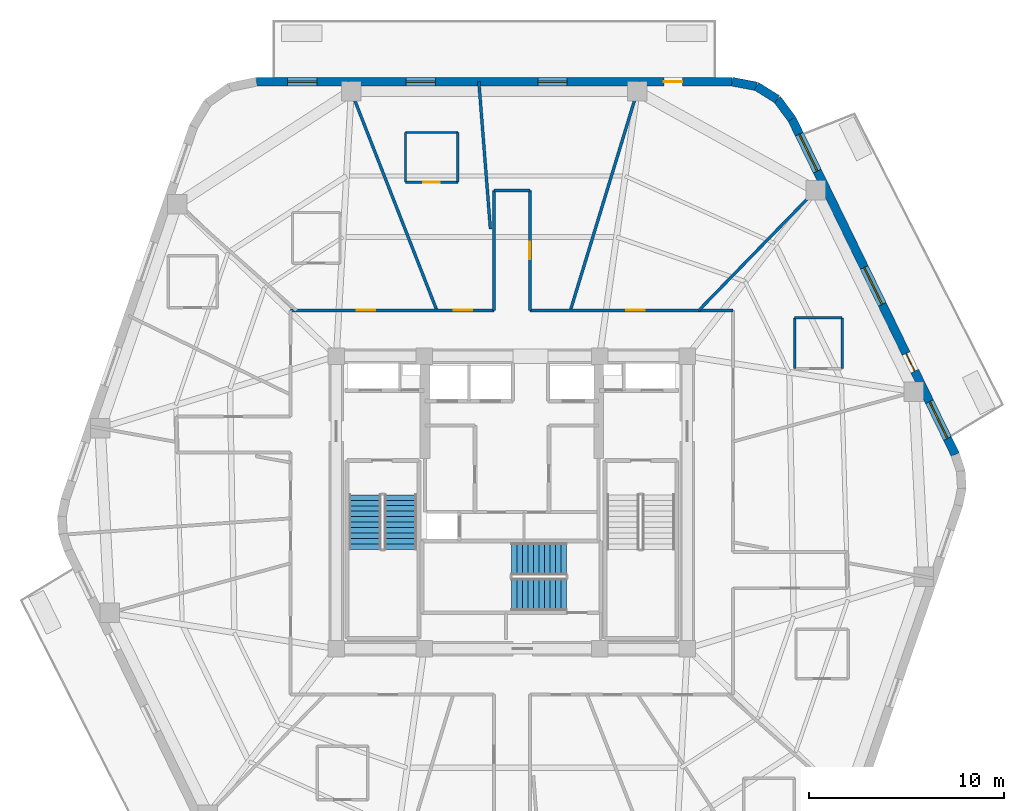
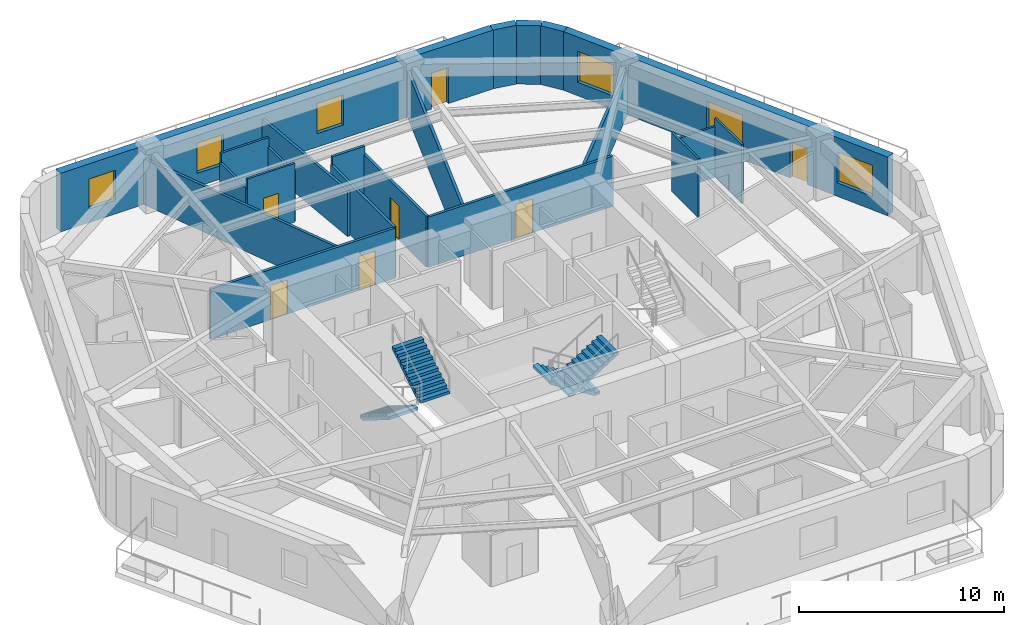
# One storey, part 6 of 10: 21 walls, 7 doors, 6 windows, 4 stair flights, 13 openings, 2 elements without a shape of their own.
"""IFC4 building model written with IfcOpenShell, lengths in metres."""

from ifc_helpers import new_model, si_unit, direction, frame, frame_2d, origin, place, context, subcontext, project, spatial, polyline, rectangle, outline, extrude, material, layer, layer_set, type_object, element, fill, aggregate, save


model = new_model("IFC4")

# Units and contexts
model_context = context("Model", 3, precision=1e-05, world=origin(), true_north=direction((0.0, 1.0)))
body_context = subcontext(model_context, "Body", "Model", "MODEL_VIEW")
ifc_project = project(units=[si_unit("LENGTHUNIT", "METRE"), si_unit("AREAUNIT", "SQUARE_METRE"), si_unit("VOLUMEUNIT", "CUBIC_METRE"), si_unit("PLANEANGLEUNIT", "RADIAN"), si_unit("MASSUNIT", "GRAM", prefix="KILO")], contexts=[model_context])

# Site, building, storey
site_placement = place(None, origin())
site = spatial("IfcSite", under=ifc_project, at=site_placement, CompositionType="ELEMENT")
building_placement = place(site_placement, origin())
building = spatial("IfcBuilding", under=site, at=building_placement, Name="Kilnhurst Terrace Hotel", CompositionType="ELEMENT")
storey_placement = place(building_placement, frame((0.0, 0.0, 217.89990234375)))
storey = spatial("IfcBuildingStorey", under=building, at=storey_placement, Name="L54", CompositionType="ELEMENT", Elevation=217.89990234375)

# Walls
ifc_material_1 = material(Name="Precast concrete C40/50", Category="concrete")
ifc_layer_1 = layer(ifc_material_1, 0.449951171875, Name="Precast concrete C40/50")
ifc_layer_set_1 = layer_set([ifc_layer_1], Name="Precast concrete C40/50")
wall_type_1 = type_object("IfcWallType", Name="WL-BRK-450", PredefinedType="SOLIDWALL", material=ifc_layer_set_1)
wall_1_placement = place(storey_placement, frame((14.3623046875, 19.658447265625, 0.0), z_axis=(0.0, 0.0, 1.0), x_axis=(-0.596642462792, 0.80250717853, 0.0)))
element("IfcWall", 1, at=wall_1_placement, inside=storey, type_object=wall_type_1, Name="L54 Rounded Corner Brick Wall C4.1", PredefinedType="SOLIDWALL", context=body_context, shape_type="SweptSolid", body=[
    extrude(rectangle(XDim=1.27001953125, YDim=0.449951171875, at=frame_2d((0.635009765625, 0.0))), origin(), (0.0, 0.0, 1.0), 3.5),
])
wall_2_placement = place(storey_placement, frame((13.6044921875, 20.677734375, 0.0), z_axis=(0.0, 0.0, 1.0), x_axis=(-0.847910404124, 0.53013955387, 0.0)))
element("IfcWall", 2, at=wall_2_placement, inside=storey, type_object=wall_type_1, Name="L54 Rounded Corner Brick Wall C4.2", PredefinedType="SOLIDWALL", context=body_context, shape_type="SweptSolid", body=[
    extrude(rectangle(XDim=1.24853515625, YDim=0.449951171875, at=frame_2d((0.624267578125, 0.0))), origin(), (0.0, 0.0, 1.0), 3.5),
])
wall_3_placement = place(storey_placement, frame((12.5458984375, 21.339599609375, 0.0), z_axis=(0.0, 0.0, 1.0), x_axis=(-0.982686750835, 0.18527479519, 0.0)))
element("IfcWall", 3, at=wall_3_placement, inside=storey, type_object=wall_type_1, Name="L54 Rounded Corner Brick Wall C4.3", PredefinedType="SOLIDWALL", context=body_context, shape_type="SweptSolid", body=[
    extrude(rectangle(XDim=1.270263671875, YDim=0.449951171875, at=frame_2d((0.63525390625, 0.0))), origin(), (0.0, 0.0, 1.0), 3.5),
])

# Wall, openings, door, windows
wall_4_placement = place(storey_placement, frame((22.73974609375, 2.4521484375, 0.0), z_axis=(0.0, 0.0, 1.0), x_axis=(-0.437753424814, 0.899095066755, 0.0)))
wall_4 = element("IfcWall", 4, at=wall_4_placement, inside=storey, type_object=wall_type_1, Name="L54 Exterior Brick Facade Wall F3", PredefinedType="SOLIDWALL", context=body_context, shape_type="SweptSolid", body=[
    extrude(rectangle(XDim=19.137451171875, YDim=0.449951171875, at=frame_2d((9.56884765625, 0.0))), origin(), (0.0, 0.0, 1.0), 3.5),
])
opening_1_placement = place(wall_4_placement, frame((4.762939453125, 0.0, 0.0)))
opening_1 = element("IfcOpeningElement", 5, at=opening_1_placement, cuts=wall_4, Name="Opening BD-1000", PredefinedType="OPENING", context=body_context, shape_type="SweptSolid", body=[
    extrude(rectangle(XDim=1.0, YDim=2.14990234375, at=frame_2d((0.5, 1.074951171875))), frame((0.0, 0.23486328125, 0.0), z_axis=(0.0, -1.0, 0.0), x_axis=(1.0, 0.0, 0.0)), (0.0, 0.0, 1.0), 0.469970703125),
])
opening_2_placement = place(wall_4_placement, frame((8.570068359375, 0.0, 0.800048828125)))
opening_2 = element("IfcOpeningElement", 6, at=opening_2_placement, cuts=wall_4, Name="Opening W-04", PredefinedType="OPENING", context=body_context, shape_type="SweptSolid", body=[
    extrude(rectangle(XDim=2.10009765625, YDim=1.85009765625, at=frame_2d((1.050048828125, 0.925048828125))), frame((0.0, 0.23486328125, 0.0), z_axis=(0.0, -1.0, 0.0), x_axis=(1.0, 0.0, 0.0)), (0.0, 0.0, 1.0), 0.469970703125),
])
opening_3_placement = place(wall_4_placement, frame((16.173095703125, 0.0, 0.800048828125)))
opening_3 = element("IfcOpeningElement", 7, at=opening_3_placement, cuts=wall_4, Name="Opening W-04", PredefinedType="OPENING", context=body_context, shape_type="SweptSolid", body=[
    extrude(rectangle(XDim=2.10009765625, YDim=1.85009765625, at=frame_2d((1.050048828125, 0.925048828125))), frame((0.0, 0.23486328125, 0.0), z_axis=(0.0, -1.0, 0.0), x_axis=(1.0, 0.0, 0.0)), (0.0, 0.0, 1.0), 0.469970703125),
])
opening_4_placement = place(wall_4_placement, frame((0.916015625, 0.0, 0.800048828125)))
opening_4 = element("IfcOpeningElement", 8, at=opening_4_placement, cuts=wall_4, Name="Opening W-04", PredefinedType="OPENING", context=body_context, shape_type="SweptSolid", body=[
    extrude(rectangle(XDim=2.10009765625, YDim=1.85009765625, at=frame_2d((1.050048828125, 0.925048828125))), frame((0.0, 0.23486328125, 0.0), z_axis=(0.0, -1.0, 0.0), x_axis=(1.0, 0.0, 0.0)), (0.0, 0.0, 1.0), 0.469970703125),
])
ifc_material_2 = material(Name="Thermally Broken Bronze Aluminium Alloy 6063-T6 and Laminated Glass", Category="aluminium")
door_type_1 = type_object("IfcDoorType", Name="DR-EXT-BAL-1000", OperationType="NOTDEFINED", PredefinedType="DOOR", material=ifc_material_2)
door_1_placement = place(opening_1_placement, origin())
door_1 = element("IfcDoor", 9, at=door_1_placement, inside=storey, type_object=door_type_1, Name="L54 Planted Balcony Door BAL-L1A", OperationType="SINGLE_SWING_LEFT", OverallHeight=2.14990234375, OverallWidth=1.0, PredefinedType="DOOR", context=body_context, shape_type="SweptSolid", body=[
    extrude(rectangle(XDim=1.0, YDim=2.14990234375, at=frame_2d((0.5, 1.074951171875))), frame((0.0, 0.02490234375, 0.0), z_axis=(0.0, -1.0, 0.0), x_axis=(1.0, 0.0, 0.0)), (0.0, 0.0, 1.0), 0.050048828125),
])
fill(opening_1, door_1)
ifc_material_3 = material(Name="Thermally Broken Bronze Aluminium Alloy 6063-T6 and Low-E Glass", Category="aluminium")
window_type_1 = type_object("IfcWindowType", Name="WIN-2100X1850", PartitioningType="SINGLE_PANEL", PredefinedType="WINDOW", material=ifc_material_3)
window_1_placement = place(opening_2_placement, origin())
window_1 = element("IfcWindow", 10, at=window_1_placement, inside=storey, type_object=window_type_1, Name="L54 Deep-Set Masonry Window F3.1", OverallHeight=1.85009765625, OverallWidth=2.10009765625, PartitioningType="SINGLE_PANEL", PredefinedType="WINDOW", context=body_context, shape_type="SweptSolid", body=[
    extrude(rectangle(XDim=2.10009765625, YDim=1.85009765625, at=frame_2d((1.050048828125, 0.925048828125))), frame((0.0, 0.030029296875, 0.0), z_axis=(0.0, -1.0, 0.0), x_axis=(1.0, 0.0, 0.0)), (0.0, 0.0, 1.0), 0.06005859375),
])
fill(opening_2, window_1)
window_2_placement = place(opening_3_placement, origin())
window_2 = element("IfcWindow", 11, at=window_2_placement, inside=storey, type_object=window_type_1, Name="L54 Deep-Set Masonry Window F3.2", OverallHeight=1.85009765625, OverallWidth=2.10009765625, PartitioningType="SINGLE_PANEL", PredefinedType="WINDOW", context=body_context, shape_type="SweptSolid", body=[
    extrude(rectangle(XDim=2.10009765625, YDim=1.85009765625, at=frame_2d((1.050048828125, 0.925048828125))), frame((0.0, 0.030029296875, 0.0), z_axis=(0.0, -1.0, 0.0), x_axis=(1.0, 0.0, 0.0)), (0.0, 0.0, 1.0), 0.06005859375),
])
fill(opening_3, window_2)
window_3_placement = place(opening_4_placement, origin())
window_3 = element("IfcWindow", 12, at=window_3_placement, inside=storey, type_object=window_type_1, Name="L54 Deep-Set Masonry Window F3.3", OverallHeight=1.85009765625, OverallWidth=2.10009765625, PartitioningType="SINGLE_PANEL", PredefinedType="WINDOW", context=body_context, shape_type="SweptSolid", body=[
    extrude(rectangle(XDim=2.10009765625, YDim=1.85009765625, at=frame_2d((1.050048828125, 0.925048828125))), frame((0.0, 0.030029296875, 0.0), z_axis=(0.0, -1.0, 0.0), x_axis=(1.0, 0.0, 0.0)), (0.0, 0.0, 1.0), 0.06005859375),
])
fill(opening_4, window_3)

wall_5_placement = place(storey_placement, frame((11.297607421875, 21.574951171875, 0.0), z_axis=(0.0, 0.0, 1.0), x_axis=(-1.0, 0.0, 0.0)))
wall_5 = element("IfcWall", 13, at=wall_5_placement, inside=storey, type_object=wall_type_1, Name="L54 Exterior Brick Facade Wall F4", PredefinedType="SOLIDWALL", context=body_context, shape_type="SweptSolid", body=[
    extrude(rectangle(XDim=24.399169921875, YDim=0.449951171875, at=frame_2d((12.19970703125, 0.0))), origin(), (0.0, 0.0, 1.0), 3.5),
])
opening_5_placement = place(wall_5_placement, frame((2.550048828125, 0.0, 0.0)))
opening_5 = element("IfcOpeningElement", 14, at=opening_5_placement, cuts=wall_5, Name="Opening BD-950", PredefinedType="OPENING", context=body_context, shape_type="SweptSolid", body=[
    extrude(rectangle(XDim=0.949951171875, YDim=2.14990234375, at=frame_2d((0.47509765625, 1.074951171875))), frame((0.0, 0.23486328125, 0.0), z_axis=(0.0, -1.0, 0.0), x_axis=(1.0, 0.0, 0.0)), (0.0, 0.0, 1.0), 0.469970703125),
])
opening_6_placement = place(wall_5_placement, frame((8.468994140625, 0.0, 0.800048828125)))
opening_6 = element("IfcOpeningElement", 15, at=opening_6_placement, cuts=wall_5, Name="Opening W-02", PredefinedType="OPENING", context=body_context, shape_type="SweptSolid", body=[
    extrude(rectangle(XDim=1.5, YDim=1.800048828125, at=frame_2d((0.75, 0.89990234375))), frame((0.0, 0.23486328125, 0.0), z_axis=(0.0, -1.0, 0.0), x_axis=(1.0, 0.0, 0.0)), (0.0, 0.0, 1.0), 0.469970703125),
])
opening_7_placement = place(wall_5_placement, frame((15.221923828125, 0.0, 0.800048828125)))
opening_7 = element("IfcOpeningElement", 16, at=opening_7_placement, cuts=wall_5, Name="Opening W-02", PredefinedType="OPENING", context=body_context, shape_type="SweptSolid", body=[
    extrude(rectangle(XDim=1.5, YDim=1.800048828125, at=frame_2d((0.75, 0.89990234375))), frame((0.0, 0.23486328125, 0.0), z_axis=(0.0, -1.0, 0.0), x_axis=(1.0, 0.0, 0.0)), (0.0, 0.0, 1.0), 0.469970703125),
])
opening_8_placement = place(wall_5_placement, frame((21.2958984375, 0.0, 0.800048828125)))
opening_8 = element("IfcOpeningElement", 17, at=opening_8_placement, cuts=wall_5, Name="Opening W-02", PredefinedType="OPENING", context=body_context, shape_type="SweptSolid", body=[
    extrude(rectangle(XDim=1.5, YDim=1.800048828125, at=frame_2d((0.75, 0.89990234375))), frame((0.0, 0.23486328125, 0.0), z_axis=(0.0, -1.0, 0.0), x_axis=(1.0, 0.0, 0.0)), (0.0, 0.0, 1.0), 0.469970703125),
])
door_type_2 = type_object("IfcDoorType", Name="DR-EXT-BAL-950", OperationType="NOTDEFINED", PredefinedType="DOOR", material=ifc_material_2)
door_2_placement = place(opening_5_placement, origin())
door_2 = element("IfcDoor", 18, at=door_2_placement, inside=storey, type_object=door_type_2, Name="L54 Planted Balcony Door BAL-L1B", OperationType="SINGLE_SWING_RIGHT", OverallHeight=2.14990234375, OverallWidth=0.949951171875, PredefinedType="DOOR", context=body_context, shape_type="SweptSolid", body=[
    extrude(rectangle(XDim=0.949951171875, YDim=2.14990234375, at=frame_2d((0.47509765625, 1.074951171875))), frame((0.0, 0.02490234375, 0.0), z_axis=(0.0, -1.0, 0.0), x_axis=(1.0, 0.0, 0.0)), (0.0, 0.0, 1.0), 0.050048828125),
])
fill(opening_5, door_2)
window_type_2 = type_object("IfcWindowType", Name="WIN-1500X1800", PartitioningType="SINGLE_PANEL", PredefinedType="WINDOW", material=ifc_material_3)
window_4_placement = place(opening_6_placement, origin())
window_4 = element("IfcWindow", 19, at=window_4_placement, inside=storey, type_object=window_type_2, Name="L54 Deep-Set Masonry Window F4.1", OverallHeight=1.800048828125, OverallWidth=1.5, PartitioningType="SINGLE_PANEL", PredefinedType="WINDOW", context=body_context, shape_type="SweptSolid", body=[
    extrude(rectangle(XDim=1.5, YDim=1.800048828125, at=frame_2d((0.75, 0.89990234375))), frame((0.0, 0.030029296875, 0.0), z_axis=(0.0, -1.0, 0.0), x_axis=(1.0, 0.0, 0.0)), (0.0, 0.0, 1.0), 0.06005859375),
])
fill(opening_6, window_4)
window_5_placement = place(opening_7_placement, origin())
window_5 = element("IfcWindow", 20, at=window_5_placement, inside=storey, type_object=window_type_2, Name="L54 Deep-Set Masonry Window F4.2", OverallHeight=1.800048828125, OverallWidth=1.5, PartitioningType="SINGLE_PANEL", PredefinedType="WINDOW", context=body_context, shape_type="SweptSolid", body=[
    extrude(rectangle(XDim=1.5, YDim=1.800048828125, at=frame_2d((0.75, 0.89990234375))), frame((0.0, 0.030029296875, 0.0), z_axis=(0.0, -1.0, 0.0), x_axis=(1.0, 0.0, 0.0)), (0.0, 0.0, 1.0), 0.06005859375),
])
fill(opening_7, window_5)
window_6_placement = place(opening_8_placement, origin())
window_6 = element("IfcWindow", 21, at=window_6_placement, inside=storey, type_object=window_type_2, Name="L54 Deep-Set Masonry Window F4.3", OverallHeight=1.800048828125, OverallWidth=1.5, PartitioningType="SINGLE_PANEL", PredefinedType="WINDOW", context=body_context, shape_type="SweptSolid", body=[
    extrude(rectangle(XDim=1.5, YDim=1.800048828125, at=frame_2d((0.75, 0.89990234375))), frame((0.0, 0.030029296875, 0.0), z_axis=(0.0, -1.0, 0.0), x_axis=(1.0, 0.0, 0.0)), (0.0, 0.0, 1.0), 0.06005859375),
])
fill(opening_8, window_6)

# Wall, openings, doors
ifc_material_4 = material(Name="Acoustic Double-Gypsum Corridor Partition Assembly")
ifc_layer_2 = layer(ifc_material_4, 0.14990234375, Name="Acoustic Double-Gypsum Corridor Partition Assembly")
ifc_layer_set_2 = layer_set([ifc_layer_2], Name="Acoustic Double-Gypsum Corridor Partition Assembly")
wall_type_2 = type_object("IfcWallType", Name="WL-COR-150", PredefinedType="PARTITIONING", material=ifc_layer_set_2)
wall_6_placement = place(storey_placement, frame((-11.35009765625, 9.85009765625, 0.0), z_axis=(0.0, 0.0, 1.0), x_axis=(1.0, 0.0, 0.0)))
wall_6 = element("IfcWall", 22, at=wall_6_placement, inside=storey, type_object=wall_type_2, Name="L54 Interior Wall WL-L54-COR-06", PredefinedType="PARTITIONING", context=body_context, shape_type="SweptSolid", body=[
    extrude(rectangle(XDim=10.43017578125, YDim=0.14990234375, at=frame_2d((5.215087890625, 0.0))), origin(), (0.0, 0.0, 1.0), 2.989990234375),
])
opening_9_placement = place(wall_6_placement, frame((8.362060546875, 0.0, 0.0)))
opening_9 = element("IfcOpeningElement", 23, at=opening_9_placement, cuts=wall_6, Name="Opening D-60B", PredefinedType="OPENING", context=body_context, shape_type="SweptSolid", body=[
    extrude(rectangle(XDim=0.949951171875, YDim=2.030029296875, at=frame_2d((0.47509765625, 1.01513671875))), frame((0.0, 0.0849609375, 0.0), z_axis=(0.0, -1.0, 0.0), x_axis=(1.0, 0.0, 0.0)), (0.0, 0.0, 1.0), 0.169921875),
])
opening_10_placement = place(wall_6_placement, frame((3.39599609375, 0.0, 0.0)))
opening_10 = element("IfcOpeningElement", 24, at=opening_10_placement, cuts=wall_6, Name="Opening D-60B", PredefinedType="OPENING", context=body_context, shape_type="SweptSolid", body=[
    extrude(rectangle(XDim=0.949951171875, YDim=2.030029296875, at=frame_2d((0.47509765625, 1.01513671875))), frame((0.0, 0.0849609375, 0.0), z_axis=(0.0, -1.0, 0.0), x_axis=(1.0, 0.0, 0.0)), (0.0, 0.0, 1.0), 0.169921875),
])
ifc_material_5 = material(Name="Acoustic Walnut Veneer Solid-Core Fire Door")
door_type_3 = type_object("IfcDoorType", Name="DR-FD60-950", OperationType="NOTDEFINED", PredefinedType="DOOR", material=ifc_material_5)
door_3_placement = place(opening_9_placement, origin())
door_3 = element("IfcDoor", 25, at=door_3_placement, inside=storey, type_object=door_type_3, Name="L54 Guest Room Entry Door 4", OperationType="SINGLE_SWING_RIGHT", OverallHeight=2.030029296875, OverallWidth=0.949951171875, PredefinedType="DOOR", context=body_context, shape_type="SweptSolid", body=[
    extrude(rectangle(XDim=0.949951171875, YDim=2.030029296875, at=frame_2d((0.47509765625, 1.01513671875))), frame((0.0, 0.02490234375, 0.0), z_axis=(0.0, -1.0, 0.0), x_axis=(1.0, 0.0, 0.0)), (0.0, 0.0, 1.0), 0.050048828125),
])
fill(opening_9, door_3)
door_4_placement = place(opening_10_placement, origin())
door_4 = element("IfcDoor", 26, at=door_4_placement, inside=storey, type_object=door_type_3, Name="L54 Executive Suite Entry Door 5", OperationType="SINGLE_SWING_LEFT", OverallHeight=2.030029296875, OverallWidth=0.949951171875, PredefinedType="DOOR", context=body_context, shape_type="SweptSolid", body=[
    extrude(rectangle(XDim=0.949951171875, YDim=2.030029296875, at=frame_2d((0.47509765625, 1.01513671875))), frame((0.0, 0.02490234375, 0.0), z_axis=(0.0, -1.0, 0.0), x_axis=(1.0, 0.0, 0.0)), (0.0, 0.0, 1.0), 0.050048828125),
])
fill(opening_10, door_4)

# Walls
wall_7_placement = place(storey_placement, frame((-0.919921875, 9.85009765625, 0.0), z_axis=(0.0, 0.0, 1.0), x_axis=(0.0, 1.0, 0.0)))
element("IfcWall", 27, at=wall_7_placement, inside=storey, type_object=wall_type_2, Name="L54 Interior Wall WL-L54-COR-07", PredefinedType="PARTITIONING", context=body_context, shape_type="SweptSolid", body=[
    extrude(rectangle(XDim=6.14990234375, YDim=0.14990234375, at=frame_2d((3.074951171875, 0.0))), origin(), (0.0, 0.0, 1.0), 3.026611328125),
])
wall_8_placement = place(storey_placement, frame((-0.919921875, 16.0, 0.0), z_axis=(0.0, 0.0, 1.0), x_axis=(1.0, 0.0, 0.0)))
element("IfcWall", 28, at=wall_8_placement, inside=storey, type_object=wall_type_2, Name="L54 Interior Wall WL-L54-COR-08", PredefinedType="PARTITIONING", context=body_context, shape_type="SweptSolid", body=[
    extrude(rectangle(XDim=1.83984375, YDim=0.14990234375, at=frame_2d((0.919921875, 0.0))), origin(), (0.0, 0.0, 1.0), 3.5),
])

# Wall, opening, door
wall_9_placement = place(storey_placement, frame((0.919921875, 16.0, 0.0), z_axis=(0.0, 0.0, 1.0), x_axis=(0.0, -1.0, 0.0)))
wall_9 = element("IfcWall", 29, at=wall_9_placement, inside=storey, type_object=wall_type_2, Name="L54 Interior Wall WL-L54-COR-09", PredefinedType="PARTITIONING", context=body_context, shape_type="SweptSolid", body=[
    extrude(rectangle(XDim=6.14990234375, YDim=0.14990234375, at=frame_2d((3.074951171875, 0.0))), origin(), (0.0, 0.0, 1.0), 3.026611328125),
])
opening_11_placement = place(wall_9_placement, frame((2.625, 0.0, 0.0)))
opening_11 = element("IfcOpeningElement", 30, at=opening_11_placement, cuts=wall_9, Name="Opening D-60C", PredefinedType="OPENING", context=body_context, shape_type="SweptSolid", body=[
    extrude(rectangle(XDim=0.89990234375, YDim=2.030029296875, at=frame_2d((0.449951171875, 1.01513671875))), frame((0.0, 0.0849609375, 0.0), z_axis=(0.0, -1.0, 0.0), x_axis=(1.0, 0.0, 0.0)), (0.0, 0.0, 1.0), 0.169921875),
])
ifc_material_6 = material(Name="Painted Solid-Core Service Fire Door")
door_type_4 = type_object("IfcDoorType", Name="DR-FD60-900", OperationType="NOTDEFINED", PredefinedType="DOOR", material=ifc_material_6)
door_5_placement = place(opening_11_placement, origin())
door_5 = element("IfcDoor", 31, at=door_5_placement, inside=storey, type_object=door_type_4, Name="L54 Executive Work Office Door 3", OperationType="SINGLE_SWING_LEFT", OverallHeight=2.030029296875, OverallWidth=0.89990234375, PredefinedType="DOOR", context=body_context, shape_type="SweptSolid", body=[
    extrude(rectangle(XDim=0.89990234375, YDim=2.030029296875, at=frame_2d((0.449951171875, 1.01513671875))), frame((0.0, 0.02490234375, 0.0), z_axis=(0.0, -1.0, 0.0), x_axis=(1.0, 0.0, 0.0)), (0.0, 0.0, 1.0), 0.050048828125),
])
fill(opening_11, door_5)

wall_10_placement = place(storey_placement, frame((0.919921875, 9.85009765625, 0.0), z_axis=(0.0, 0.0, 1.0), x_axis=(1.0, 0.0, 0.0)))
wall_10 = element("IfcWall", 32, at=wall_10_placement, inside=storey, type_object=wall_type_2, Name="L54 Interior Wall WL-L54-COR-10", PredefinedType="PARTITIONING", context=body_context, shape_type="SweptSolid", body=[
    extrude(rectangle(XDim=10.43017578125, YDim=0.14990234375, at=frame_2d((5.215087890625, 0.0))), origin(), (0.0, 0.0, 1.0), 2.989990234375),
])
opening_12_placement = place(wall_10_placement, frame((4.948974609375, 0.0, 0.0)))
opening_12 = element("IfcOpeningElement", 33, at=opening_12_placement, cuts=wall_10, Name="Opening D-60B", PredefinedType="OPENING", context=body_context, shape_type="SweptSolid", body=[
    extrude(rectangle(XDim=0.949951171875, YDim=2.030029296875, at=frame_2d((0.47509765625, 1.01513671875))), frame((0.0, 0.0849609375, 0.0), z_axis=(0.0, -1.0, 0.0), x_axis=(1.0, 0.0, 0.0)), (0.0, 0.0, 1.0), 0.169921875),
])
door_6_placement = place(opening_12_placement, origin())
door_6 = element("IfcDoor", 34, at=door_6_placement, inside=storey, type_object=door_type_3, Name="L54 Executive Boardroom Door", OperationType="SINGLE_SWING_RIGHT", OverallHeight=2.030029296875, OverallWidth=0.949951171875, PredefinedType="DOOR", context=body_context, shape_type="SweptSolid", body=[
    extrude(rectangle(XDim=0.949951171875, YDim=2.030029296875, at=frame_2d((0.47509765625, 1.01513671875))), frame((0.0, 0.02490234375, 0.0), z_axis=(0.0, -1.0, 0.0), x_axis=(1.0, 0.0, 0.0)), (0.0, 0.0, 1.0), 0.050048828125),
])
fill(opening_12, door_6)

# Walls
ifc_material_7 = material(Name="STC-58 Acoustic Twin-Frame Guestroom Demising Partition")
ifc_layer_3 = layer(ifc_material_7, 0.14990234375, Name="STC-58 Acoustic Twin-Frame Guestroom Demising Partition")
ifc_layer_set_3 = layer_set([ifc_layer_3], Name="STC-58 Acoustic Twin-Frame Guestroom Demising Partition")
wall_type_3 = type_object("IfcWallType", Name="WL-DEM-150", PredefinedType="PARTITIONING", material=ifc_layer_set_3)
wall_11_placement = place(storey_placement, frame((9.587890625, 9.85009765625, 0.0), z_axis=(0.0, 0.0, 1.0), x_axis=(0.697519469595, 0.716565830567, 0.0)))
element("IfcWall", 35, at=wall_11_placement, inside=storey, type_object=wall_type_3, Name="L54 Interior Wall WL-L54-DEM-COL02-02-1", PredefinedType="PARTITIONING", context=body_context, shape_type="SweptSolid", body=[
    extrude(rectangle(XDim=9.12646484375, YDim=0.14990234375, at=frame_2d((4.563232421875, 0.0))), origin(), (0.0, 0.0, 1.0), 2.739990234375),
])
wall_12_placement = place(storey_placement, frame((3.00439453125, 9.85009765625, 0.0), z_axis=(0.0, 0.0, 1.0), x_axis=(0.291775760688, 0.956486751333, 0.0)))
element("IfcWall", 36, at=wall_12_placement, inside=storey, type_object=wall_type_3, Name="L54 Interior Wall WL-L54-DEM-COL03-03-1", PredefinedType="PARTITIONING", context=body_context, shape_type="SweptSolid", body=[
    extrude(rectangle(XDim=12.25830078125, YDim=0.14990234375, at=frame_2d((6.129150390625, 0.0))), origin(), (0.0, 0.0, 1.0), 2.739990234375),
])
wall_13_placement = place(storey_placement, frame((-1.10009765625, 14.017578125, 0.0), z_axis=(0.0, 0.0, 1.0), x_axis=(-0.078228275349, 0.996935472804, 0.0)))
element("IfcWall", 37, at=wall_13_placement, inside=storey, type_object=wall_type_3, Name="L54 Interior Wall WL-L54-DEM-MID03-04-1", PredefinedType="PARTITIONING", context=body_context, shape_type="SweptSolid", body=[
    extrude(rectangle(XDim=7.58056640625, YDim=0.14990234375, at=frame_2d((3.790283203125, 0.0))), origin(), (0.0, 0.0, 1.0), 2.739990234375),
])
wall_14_placement = place(storey_placement, frame((-3.848388671875, 9.85009765625, 0.0), z_axis=(0.0, 0.0, 1.0), x_axis=(-0.363921778212, 0.931429513889, 0.0)))
element("IfcWall", 38, at=wall_14_placement, inside=storey, type_object=wall_type_3, Name="L54 Interior Wall WL-L54-DEM-COL04-05-1", PredefinedType="PARTITIONING", context=body_context, shape_type="SweptSolid", body=[
    extrude(rectangle(XDim=12.588134765625, YDim=0.14990234375, at=frame_2d((6.2939453125, 0.0))), origin(), (0.0, 0.0, 1.0), 2.739990234375),
])
ifc_material_8 = material(Name="120 mm Moisture-Resistant Tile-Backed Bathroom Partition")
ifc_layer_4 = layer(ifc_material_8, 0.1201171875, Name="120 mm Moisture-Resistant Tile-Backed Bathroom Partition")
ifc_layer_set_4 = layer_set([ifc_layer_4], Name="120 mm Moisture-Resistant Tile-Backed Bathroom Partition")
wall_type_4 = type_object("IfcWallType", Name="WL-PART-120", PredefinedType="PARTITIONING", material=ifc_layer_set_4)
wall_15_placement = place(storey_placement, frame((16.93994140625, 6.860107421875, 0.0), z_axis=(0.0, 0.0, 1.0), x_axis=(0.0, 1.0, 0.0)))
element("IfcWall", 39, at=wall_15_placement, inside=storey, type_object=wall_type_4, Name="L54 Interior Wall WL-L54-BTH-01-2", PredefinedType="PARTITIONING", context=body_context, shape_type="SweptSolid", body=[
    extrude(rectangle(XDim=2.60986328125, YDim=0.1201171875, at=frame_2d((1.304931640625, 0.0))), origin(), (0.0, 0.0, 1.0), 3.5),
])
wall_16_placement = place(storey_placement, frame((16.93994140625, 9.469970703125, 0.0), z_axis=(0.0, 0.0, 1.0), x_axis=(-1.0, 0.0, 0.0)))
element("IfcWall", 40, at=wall_16_placement, inside=storey, type_object=wall_type_4, Name="L54 Interior Wall WL-L54-BTH-01-3", PredefinedType="PARTITIONING", context=body_context, shape_type="SweptSolid", body=[
    extrude(rectangle(XDim=2.43994140625, YDim=0.1201171875, at=frame_2d((1.219970703125, 0.0))), origin(), (0.0, 0.0, 1.0), 3.026611328125),
])
wall_17_placement = place(storey_placement, frame((14.5, 9.469970703125, 0.0), z_axis=(0.0, 0.0, 1.0), x_axis=(0.0, -1.0, 0.0)))
element("IfcWall", 41, at=wall_17_placement, inside=storey, type_object=wall_type_4, Name="L54 Interior Wall WL-L54-BTH-01-4", PredefinedType="PARTITIONING", context=body_context, shape_type="SweptSolid", body=[
    extrude(rectangle(XDim=2.60986328125, YDim=0.1201171875, at=frame_2d((1.304931640625, 0.0))), origin(), (0.0, 0.0, 1.0), 3.5),
])

# Wall, opening, door
wall_18_placement = place(storey_placement, frame((-5.4541015625, 16.427001953125, 0.0), z_axis=(0.0, 0.0, 1.0), x_axis=(1.0, 0.0, 0.0)))
wall_18 = element("IfcWall", 42, at=wall_18_placement, inside=storey, type_object=wall_type_4, Name="L54 Interior Wall WL-L54-BTH-04-1", PredefinedType="PARTITIONING", context=body_context, shape_type="SweptSolid", body=[
    extrude(rectangle(XDim=2.68017578125, YDim=0.1201171875, at=frame_2d((1.340087890625, 0.0))), origin(), (0.0, 0.0, 1.0), 3.5),
])
opening_13_placement = place(wall_18_placement, frame((0.9150390625, 0.0, 0.0)))
opening_13 = element("IfcOpeningElement", 43, at=opening_13_placement, cuts=wall_18, Name="Opening D-08A", PredefinedType="OPENING", context=body_context, shape_type="SweptSolid", body=[
    extrude(rectangle(XDim=0.85009765625, YDim=2.030029296875, at=frame_2d((0.425048828125, 1.01513671875))), frame((0.0, 0.070068359375, 0.0), z_axis=(0.0, -1.0, 0.0), x_axis=(1.0, 0.0, 0.0)), (0.0, 0.0, 1.0), 0.14013671875),
])
ifc_material_9 = material(Name="Moisture-Resistant Lacquered En-suite Bathroom Door")
door_type_5 = type_object("IfcDoorType", Name="DR-INT-850", OperationType="NOTDEFINED", PredefinedType="DOOR", material=ifc_material_9)
door_7_placement = place(opening_13_placement, origin())
door_7 = element("IfcDoor", 44, at=door_7_placement, inside=storey, type_object=door_type_5, Name="L54 En-suite Bathroom Door 4", OperationType="SINGLE_SWING_LEFT", OverallHeight=2.030029296875, OverallWidth=0.85009765625, PredefinedType="DOOR", context=body_context, shape_type="SweptSolid", body=[
    extrude(rectangle(XDim=0.85009765625, YDim=2.030029296875, at=frame_2d((0.425048828125, 1.01513671875))), frame((0.0, 0.02490234375, 0.0), z_axis=(0.0, -1.0, 0.0), x_axis=(1.0, 0.0, 0.0)), (0.0, 0.0, 1.0), 0.050048828125),
])
fill(opening_13, door_7)

# Walls
wall_19_placement = place(storey_placement, frame((-2.77392578125, 16.427001953125, 0.0), z_axis=(0.0, 0.0, 1.0), x_axis=(0.0, 1.0, 0.0)))
element("IfcWall", 45, at=wall_19_placement, inside=storey, type_object=wall_type_4, Name="L54 Interior Wall WL-L54-BTH-04-2", PredefinedType="PARTITIONING", context=body_context, shape_type="SweptSolid", body=[
    extrude(rectangle(XDim=2.5400390625, YDim=0.1201171875, at=frame_2d((1.27001953125, 0.0))), origin(), (0.0, 0.0, 1.0), 2.940673828125),
])
wall_20_placement = place(storey_placement, frame((-2.77392578125, 18.967041015625, 0.0), z_axis=(0.0, 0.0, 1.0), x_axis=(-1.0, 0.0, 0.0)))
element("IfcWall", 46, at=wall_20_placement, inside=storey, type_object=wall_type_4, Name="L54 Interior Wall WL-L54-BTH-04-3", PredefinedType="PARTITIONING", context=body_context, shape_type="SweptSolid", body=[
    extrude(rectangle(XDim=2.68017578125, YDim=0.1201171875, at=frame_2d((1.340087890625, 0.0))), origin(), (0.0, 0.0, 1.0), 3.5),
])
wall_21_placement = place(storey_placement, frame((-5.4541015625, 18.967041015625, 0.0), z_axis=(0.0, 0.0, 1.0), x_axis=(0.0, -1.0, 0.0)))
element("IfcWall", 47, at=wall_21_placement, inside=storey, type_object=wall_type_4, Name="L54 Interior Wall WL-L54-BTH-04-4", PredefinedType="PARTITIONING", context=body_context, shape_type="SweptSolid", body=[
    extrude(rectangle(XDim=2.5400390625, YDim=0.1201171875, at=frame_2d((1.27001953125, 0.0))), origin(), (0.0, 0.0, 1.0), 2.940673828125),
])

# Stair, stair flights
ifc_material_10 = material(Name="Concrete C50/60", Category="concrete")
stair_type = type_object("IfcStairType", Name="STR-CORE-1660", PredefinedType="HALF_TURN_STAIR", material=ifc_material_10)
stair_1_placement = place(storey_placement, origin())
stair_1 = element("IfcStair", 48, at=stair_1_placement, inside=storey, type_object=stair_type, Name="L54 ST-1", PredefinedType="HALF_TURN_STAIR")
stair_flight_type = type_object("IfcStairFlightType", Name="FLT-RC-1660", PredefinedType="STRAIGHT", material=ifc_material_10)
stair_flight_1_placement = place(storey_placement, frame((-7.52001953125, 0.389892578125, 0.0), z_axis=(0.0, 0.0, 1.0), x_axis=(0.0, -1.0, 0.0)))
stair_flight_1 = element("IfcStairFlight", 49, at=stair_flight_1_placement, type_object=stair_flight_type, Name="ST-1 flight 1", NumberOfRisers=11, NumberOfTreads=10, PredefinedType="STRAIGHT", RiserHeight=0.172727273, TreadLength=0.28, context=body_context, shape_type="SweptSolid", body=[
    extrude(outline(polyline([(0.0, 0.0), (0.0, 0.172607421875), (0.280029296875, 0.172607421875), (0.280029296875, 0.345458984375), (0.56005859375, 0.345458984375), (0.56005859375, 0.51806640625), (0.840087890625, 0.51806640625), (0.840087890625, 0.69091796875), (1.1201171875, 0.69091796875), (1.1201171875, 0.863525390625), (1.39990234375, 0.863525390625), (1.39990234375, 1.036376953125), (1.679931640625, 1.036376953125), (1.679931640625, 1.208984375), (1.9599609375, 1.208984375), (1.9599609375, 1.3818359375), (2.239990234375, 1.3818359375), (2.239990234375, 1.554443359375), (2.52001953125, 1.554443359375), (2.52001953125, 1.727294921875), (2.800048828125, 1.727294921875), (2.800048828125, 1.89990234375), (2.800048828125, 1.551025390625), (0.285400390625, 0.0), (0.0, 0.0)])), frame((0.0, 0.830078125, 0.0), z_axis=(0.0, -1.0, 0.0), x_axis=(1.0, 0.0, 0.0)), (0.0, 0.0, 1.0), 1.659912109375),
])
stair_flight_2_placement = place(storey_placement, frame((-5.7099609375, -2.409912109375, 1.900146484375), z_axis=(0.0, 0.0, 1.0), x_axis=(0.0, 1.0, 0.0)))
stair_flight_2 = element("IfcStairFlight", 50, at=stair_flight_2_placement, type_object=stair_flight_type, Name="ST-1 flight 2", NumberOfRisers=11, NumberOfTreads=10, PredefinedType="STRAIGHT", RiserHeight=0.172727273, TreadLength=0.28, context=body_context, shape_type="SweptSolid", body=[
    extrude(outline(polyline([(0.0, 0.0), (0.0, 0.172607421875), (0.280029296875, 0.172607421875), (0.280029296875, 0.345458984375), (0.56005859375, 0.345458984375), (0.56005859375, 0.51806640625), (0.840087890625, 0.51806640625), (0.840087890625, 0.69091796875), (1.1201171875, 0.69091796875), (1.1201171875, 0.863525390625), (1.39990234375, 0.863525390625), (1.39990234375, 1.036376953125), (1.679931640625, 1.036376953125), (1.679931640625, 1.208984375), (1.9599609375, 1.208984375), (1.9599609375, 1.3818359375), (2.239990234375, 1.3818359375), (2.239990234375, 1.554443359375), (2.52001953125, 1.554443359375), (2.52001953125, 1.727294921875), (2.800048828125, 1.727294921875), (2.800048828125, 1.89990234375), (2.800048828125, 1.551025390625), (0.285400390625, 0.0), (0.0, 0.0)])), frame((0.0, 0.830078125, 0.0), z_axis=(0.0, -1.0, 0.0), x_axis=(1.0, 0.0, 0.0)), (0.0, 0.0, 1.0), 1.659912109375),
])
aggregate(stair_1, [stair_flight_1, stair_flight_2])

stair_2_placement = place(storey_placement, origin())
stair_2 = element("IfcStair", 51, at=stair_2_placement, inside=storey, type_object=stair_type, Name="L54 ST-3", PredefinedType="HALF_TURN_STAIR")
stair_flight_3_placement = place(storey_placement, frame((2.7900390625, -2.909912109375, 0.0), z_axis=(0.0, 0.0, 1.0), x_axis=(-1.0, 0.0, 0.0)))
stair_flight_3 = element("IfcStairFlight", 52, at=stair_flight_3_placement, type_object=stair_flight_type, Name="ST-3 flight 1", NumberOfRisers=11, NumberOfTreads=10, PredefinedType="STRAIGHT", RiserHeight=0.172727273, TreadLength=0.28, context=body_context, shape_type="SweptSolid", body=[
    extrude(outline(polyline([(0.0, 0.0), (0.0, 0.172607421875), (0.280029296875, 0.172607421875), (0.280029296875, 0.345458984375), (0.56005859375, 0.345458984375), (0.56005859375, 0.51806640625), (0.840087890625, 0.51806640625), (0.840087890625, 0.69091796875), (1.1201171875, 0.69091796875), (1.1201171875, 0.863525390625), (1.39990234375, 0.863525390625), (1.39990234375, 1.036376953125), (1.679931640625, 1.036376953125), (1.679931640625, 1.208984375), (1.9599609375, 1.208984375), (1.9599609375, 1.3818359375), (2.239990234375, 1.3818359375), (2.239990234375, 1.554443359375), (2.52001953125, 1.554443359375), (2.52001953125, 1.727294921875), (2.800048828125, 1.727294921875), (2.800048828125, 1.89990234375), (2.800048828125, 1.551025390625), (0.285400390625, 0.0), (0.0, 0.0)])), frame((0.0, 0.830078125, 0.0), z_axis=(0.0, -1.0, 0.0), x_axis=(1.0, 0.0, 0.0)), (0.0, 0.0, 1.0), 1.659912109375),
])
stair_flight_4_placement = place(storey_placement, frame((-0.010009765625, -4.719970703125, 1.900146484375), z_axis=(0.0, 0.0, 1.0), x_axis=(1.0, 0.0, 0.0)))
stair_flight_4 = element("IfcStairFlight", 53, at=stair_flight_4_placement, type_object=stair_flight_type, Name="ST-3 flight 2", NumberOfRisers=11, NumberOfTreads=10, PredefinedType="STRAIGHT", RiserHeight=0.172727273, TreadLength=0.28, context=body_context, shape_type="SweptSolid", body=[
    extrude(outline(polyline([(0.0, 0.0), (0.0, 0.172607421875), (0.280029296875, 0.172607421875), (0.280029296875, 0.345458984375), (0.56005859375, 0.345458984375), (0.56005859375, 0.51806640625), (0.840087890625, 0.51806640625), (0.840087890625, 0.69091796875), (1.1201171875, 0.69091796875), (1.1201171875, 0.863525390625), (1.39990234375, 0.863525390625), (1.39990234375, 1.036376953125), (1.679931640625, 1.036376953125), (1.679931640625, 1.208984375), (1.9599609375, 1.208984375), (1.9599609375, 1.3818359375), (2.239990234375, 1.3818359375), (2.239990234375, 1.554443359375), (2.52001953125, 1.554443359375), (2.52001953125, 1.727294921875), (2.800048828125, 1.727294921875), (2.800048828125, 1.89990234375), (2.800048828125, 1.551025390625), (0.285400390625, 0.0), (0.0, 0.0)])), frame((0.0, 0.830078125, 0.0), z_axis=(0.0, -1.0, 0.0), x_axis=(1.0, 0.0, 0.0)), (0.0, 0.0, 1.0), 1.659912109375),
])
aggregate(stair_2, [stair_flight_3, stair_flight_4])

save(model, "model.ifc")
